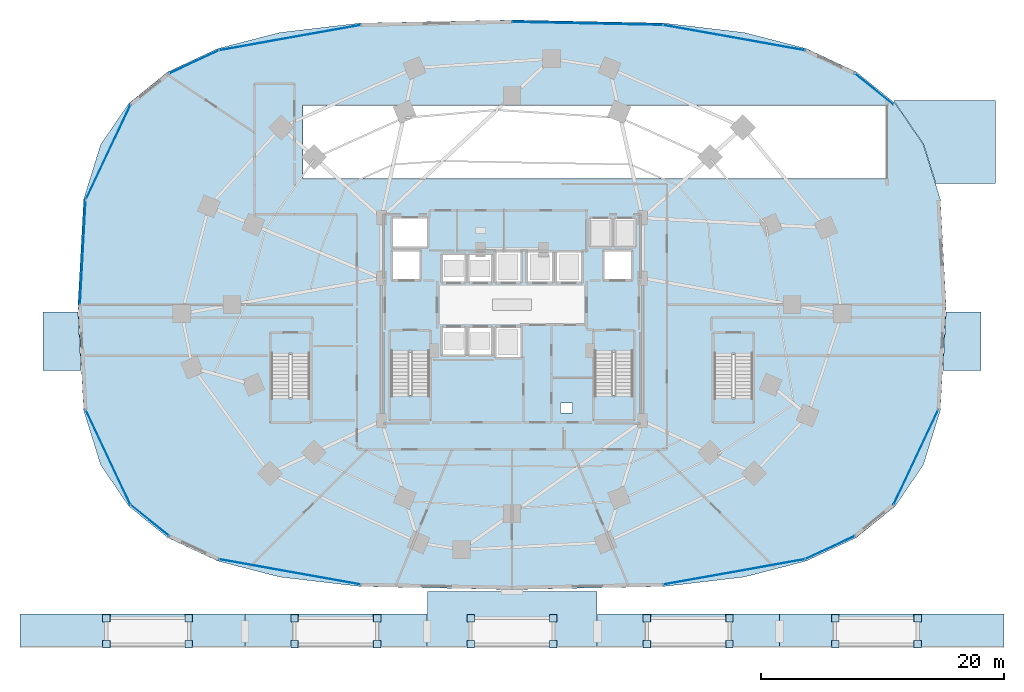
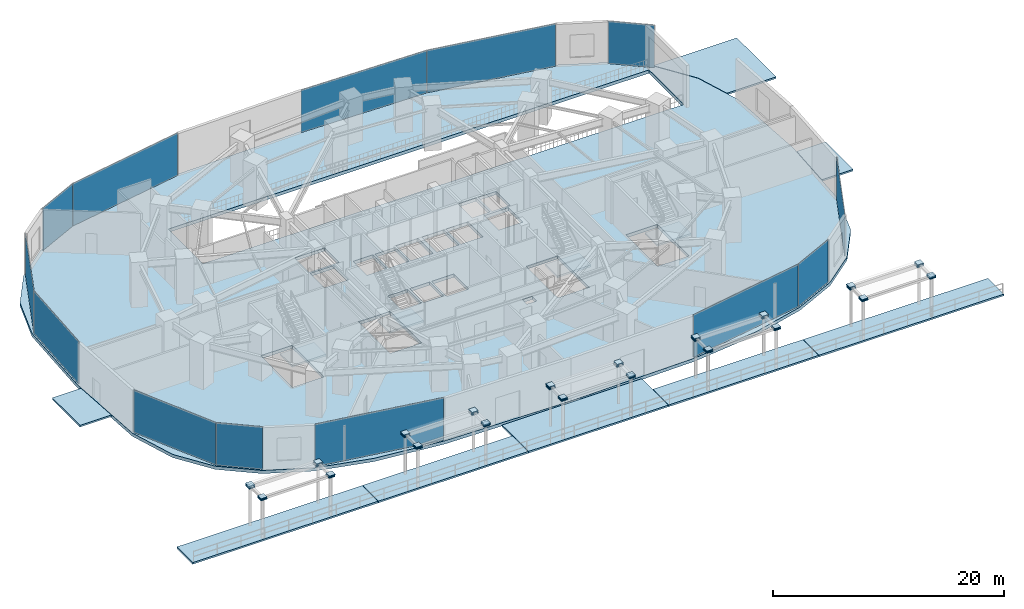
# One storey, part 25 of 36: 73 plates, 13 slabs, 12 elements without a shape of their own.
"""IFC4 building model written with IfcOpenShell, lengths in metres."""

from ifc_helpers import new_model, si_unit, direction, frame, origin, origin_2d, place, context, subcontext, project, spatial, polyline, rectangle, outline, extrude, material, layer, layer_set, type_object, element, aggregate, save


model = new_model("IFC4")

# Units and contexts
model_context = context("Model", 3, precision=1e-05, world=origin(), true_north=direction((0.0, 1.0)))
body_context = subcontext(model_context, "Body", "Model", "MODEL_VIEW")
ifc_project = project(units=[si_unit("LENGTHUNIT", "METRE"), si_unit("AREAUNIT", "SQUARE_METRE"), si_unit("VOLUMEUNIT", "CUBIC_METRE"), si_unit("PLANEANGLEUNIT", "RADIAN"), si_unit("MASSUNIT", "GRAM", prefix="KILO")], contexts=[model_context])

# Site, building, storey
site_placement = place(None, origin())
site = spatial("IfcSite", under=ifc_project, at=site_placement, CompositionType="ELEMENT")
building_placement = place(site_placement, origin())
building = spatial("IfcBuilding", under=site, at=building_placement, Name="Vorneva Point Tower", CompositionType="ELEMENT")
storey_placement = place(building_placement, origin())
storey = spatial("IfcBuildingStorey", under=building, at=storey_placement, Name="L00", CompositionType="ELEMENT", Elevation=0.0)

# Curtain wall, plate
ifc_material_1 = material(Name="Pale anodised aluminium", Category="aluminium")
curtain_wall_type = type_object("IfcCurtainWallType", Name="CW-POD-SYS", PredefinedType="NOTDEFINED", material=ifc_material_1)
curtain_wall_1_placement = place(storey_placement, origin())
curtain_wall_1 = element("IfcCurtainWall", 1, at=curtain_wall_1_placement, inside=storey, type_object=curtain_wall_type, Name="L00 Unitised Curtain Wall CW-L00-R01", PredefinedType="NOTDEFINED")
ifc_material_2 = material(Name="Double low-e laminated glass IGU", Category="glass")
ifc_layer_1 = layer(ifc_material_2, 0.035888671875)
ifc_layer_set_1 = layer_set([ifc_layer_1], Name="Double low-e laminated glass IGU")
plate_type_1 = type_object("IfcPlateType", Name="CW-PNL-VIS", PredefinedType="CURTAIN_PANEL", material=ifc_layer_set_1)
plate_1_placement = place(storey_placement, frame((67.808837890625, 43.751220703125, -0.02001953125), z_axis=(0.0, 0.0, 1.0), x_axis=(-0.778374651732, 0.627800049014, 0.0)))
plate_1 = element("IfcPlate", 2, at=plate_1_placement, type_object=plate_type_1, Name="CW-L00-R01 Glazed Panel 01", PredefinedType="CURTAIN_PANEL", context=body_context, shape_type="SweptSolid", body=[
    extrude(rectangle(XDim=4.043212890625, YDim=0.035888671875, at=origin_2d()), origin(), (0.0, 0.0, 1.0), 4.52001953125),
])
aggregate(curtain_wall_1, [plate_1])

# Curtain wall, plates
curtain_wall_2_placement = place(storey_placement, origin())
curtain_wall_2 = element("IfcCurtainWall", 3, at=curtain_wall_2_placement, inside=storey, type_object=curtain_wall_type, Name="L00 Unitised Curtain Wall CW-L00-R02", PredefinedType="NOTDEFINED")
plate_2_placement = place(storey_placement, frame((56.285400390625, 47.987548828125, -0.02001953125), z_axis=(0.0, 0.0, 1.0), x_axis=(-0.984411223222, 0.175882186689, 0.0)))
plate_2 = element("IfcPlate", 4, at=plate_2_placement, type_object=plate_type_1, Name="CW-L00-R02 Glazed Panel 01", PredefinedType="CURTAIN_PANEL", context=body_context, shape_type="SweptSolid", body=[
    extrude(rectangle(XDim=11.82080078125, YDim=0.035888671875, at=origin_2d()), origin(), (0.0, 0.0, 1.0), 4.52001953125),
])
plate_3_placement = place(storey_placement, frame((44.22119140625, 49.158447265625, -0.02001953125), z_axis=(0.0, 0.0, 1.0), x_axis=(-0.999791868077, 0.020401483438, 0.0)))
plate_3 = element("IfcPlate", 5, at=plate_3_placement, type_object=plate_type_1, Name="CW-L00-R02 Glazed Panel 02", PredefinedType="CURTAIN_PANEL", context=body_context, shape_type="SweptSolid", body=[
    extrude(rectangle(XDim=12.39501953125, YDim=0.035888671875, at=origin_2d()), origin(), (0.0, 0.0, 1.0), 4.52001953125),
])
aggregate(curtain_wall_2, [plate_2, plate_3])

curtain_wall_3_placement = place(storey_placement, origin())
curtain_wall_3 = element("IfcCurtainWall", 6, at=curtain_wall_3_placement, inside=storey, type_object=curtain_wall_type, Name="L00 Unitised Curtain Wall CW-L00-R03", PredefinedType="NOTDEFINED")
plate_4_placement = place(storey_placement, frame((19.71484375, 47.987548828125, -0.02001953125), z_axis=(0.0, 0.0, 1.0), x_axis=(-0.984411223222, -0.175882186689, 0.0)))
plate_4 = element("IfcPlate", 7, at=plate_4_placement, type_object=plate_type_1, Name="CW-L00-R03 Glazed Panel 01", PredefinedType="CURTAIN_PANEL", context=body_context, shape_type="SweptSolid", body=[
    extrude(rectangle(XDim=11.82080078125, YDim=0.035888671875, at=origin_2d()), origin(), (0.0, 0.0, 1.0), 4.52001953125),
])
plate_5_placement = place(storey_placement, frame((11.827880859375, 45.98974609375, -0.02001953125), z_axis=(0.0, 0.0, 1.0), x_axis=(-0.906174972872, -0.422902965869, 0.0)))
plate_5 = element("IfcPlate", 8, at=plate_5_placement, type_object=plate_type_1, Name="CW-L00-R03 Glazed Panel 02", PredefinedType="CURTAIN_PANEL", context=body_context, shape_type="SweptSolid", body=[
    extrude(rectangle(XDim=4.460693359375, YDim=0.035888671875, at=origin_2d()), origin(), (0.0, 0.0, 1.0), 4.52001953125),
])
aggregate(curtain_wall_3, [plate_4, plate_5])

curtain_wall_4_placement = place(storey_placement, origin())
curtain_wall_4 = element("IfcCurtainWall", 9, at=curtain_wall_4_placement, inside=storey, type_object=curtain_wall_type, Name="L00 Unitised Curtain Wall CW-L00-R04", PredefinedType="NOTDEFINED")
plate_6_placement = place(storey_placement, frame((4.75048828125, 38.548095703125, -0.02001953125), z_axis=(0.0, 0.0, 1.0), x_axis=(-0.426552954116, -0.904462590346, 0.0)))
plate_6 = element("IfcPlate", 10, at=plate_6_placement, type_object=plate_type_1, Name="CW-L00-R04 Glazed Panel 01", PredefinedType="CURTAIN_PANEL", context=body_context, shape_type="SweptSolid", body=[
    extrude(rectangle(XDim=8.61376953125, YDim=0.035888671875, at=origin_2d()), origin(), (0.0, 0.0, 1.0), 4.52001953125),
])
plate_7_placement = place(storey_placement, frame((2.66845703125, 30.315185546875, -0.02001953125), z_axis=(0.0, 0.0, 1.0), x_axis=(-0.054165951542, -0.998531947257, 0.0)))
plate_7 = element("IfcPlate", 11, at=plate_7_placement, type_object=plate_type_1, Name="CW-L00-R04 Glazed Panel 02", PredefinedType="CURTAIN_PANEL", context=body_context, shape_type="SweptSolid", body=[
    extrude(rectangle(XDim=8.593017578125, YDim=0.035888671875, at=origin_2d()), origin(), (0.0, 0.0, 1.0), 4.52001953125),
])
aggregate(curtain_wall_4, [plate_6, plate_7])

curtain_wall_5_placement = place(storey_placement, origin())
curtain_wall_5 = element("IfcCurtainWall", 12, at=curtain_wall_5_placement, inside=storey, type_object=curtain_wall_type, Name="L00 Unitised Curtain Wall CW-L00-R05", PredefinedType="NOTDEFINED")
plate_8_placement = place(storey_placement, frame((4.75048828125, 13.451904296875, -0.02001953125), z_axis=(0.0, 0.0, 1.0), x_axis=(0.426552954116, -0.904462590346, 0.0)))
plate_8 = element("IfcPlate", 13, at=plate_8_placement, type_object=plate_type_1, Name="CW-L00-R05 Glazed Panel 01", PredefinedType="CURTAIN_PANEL", context=body_context, shape_type="SweptSolid", body=[
    extrude(rectangle(XDim=8.61376953125, YDim=0.035888671875, at=origin_2d()), origin(), (0.0, 0.0, 1.0), 4.52001953125),
])
plate_9_placement = place(storey_placement, frame((8.191162109375, 8.248779296875, -0.02001953125), z_axis=(0.0, 0.0, 1.0), x_axis=(0.778374651732, -0.627800049014, 0.0)))
plate_9 = element("IfcPlate", 14, at=plate_9_placement, type_object=plate_type_1, Name="CW-L00-R05 Glazed Panel 02", PredefinedType="CURTAIN_PANEL", context=body_context, shape_type="SweptSolid", body=[
    extrude(rectangle(XDim=4.043212890625, YDim=0.035888671875, at=origin_2d()), origin(), (0.0, 0.0, 1.0), 4.52001953125),
])
aggregate(curtain_wall_5, [plate_8, plate_9])

# Curtain wall, plate
curtain_wall_6_placement = place(storey_placement, origin())
curtain_wall_6 = element("IfcCurtainWall", 15, at=curtain_wall_6_placement, inside=storey, type_object=curtain_wall_type, Name="L00 Unitised Curtain Wall CW-L00-R06", PredefinedType="NOTDEFINED")
plate_10_placement = place(storey_placement, frame((19.71484375, 4.012451171875, -0.02001953125), z_axis=(0.0, 0.0, 1.0), x_axis=(0.984411223222, -0.175882186689, 0.0)))
plate_10 = element("IfcPlate", 16, at=plate_10_placement, type_object=plate_type_1, Name="CW-L00-R06 Glazed Panel 01", PredefinedType="CURTAIN_PANEL", context=body_context, shape_type="SweptSolid", body=[
    extrude(rectangle(XDim=11.82080078125, YDim=0.035888671875, at=origin_2d()), origin(), (0.0, 0.0, 1.0), 4.52001953125),
])
aggregate(curtain_wall_6, [plate_10])

# Curtain wall, plates
curtain_wall_7_placement = place(storey_placement, origin())
curtain_wall_7 = element("IfcCurtainWall", 17, at=curtain_wall_7_placement, inside=storey, type_object=curtain_wall_type, Name="L00 Unitised Curtain Wall CW-L00-R07", PredefinedType="NOTDEFINED")
plate_11_placement = place(storey_placement, frame((56.285400390625, 4.012451171875, -0.02001953125), z_axis=(0.0, 0.0, 1.0), x_axis=(0.984411223222, 0.175882186689, 0.0)))
plate_11 = element("IfcPlate", 18, at=plate_11_placement, type_object=plate_type_1, Name="CW-L00-R07 Glazed Panel 01", PredefinedType="CURTAIN_PANEL", context=body_context, shape_type="SweptSolid", body=[
    extrude(rectangle(XDim=11.82080078125, YDim=0.035888671875, at=origin_2d()), origin(), (0.0, 0.0, 1.0), 4.52001953125),
])
plate_12_placement = place(storey_placement, frame((64.172119140625, 6.01025390625, -0.02001953125), z_axis=(0.0, 0.0, 1.0), x_axis=(0.906174972872, 0.422902965869, 0.0)))
plate_12 = element("IfcPlate", 19, at=plate_12_placement, type_object=plate_type_1, Name="CW-L00-R07 Glazed Panel 02", PredefinedType="CURTAIN_PANEL", context=body_context, shape_type="SweptSolid", body=[
    extrude(rectangle(XDim=4.460693359375, YDim=0.035888671875, at=origin_2d()), origin(), (0.0, 0.0, 1.0), 4.52001953125),
])
aggregate(curtain_wall_7, [plate_11, plate_12])

# Curtain wall, plate
curtain_wall_8_placement = place(storey_placement, origin())
curtain_wall_8 = element("IfcCurtainWall", 20, at=curtain_wall_8_placement, inside=storey, type_object=curtain_wall_type, Name="L00 Unitised Curtain Wall CW-L00-R08", PredefinedType="NOTDEFINED")
plate_13_placement = place(storey_placement, frame((71.24951171875, 13.451904296875, -0.02001953125), z_axis=(0.0, 0.0, 1.0), x_axis=(0.426552954116, 0.904462590346, 0.0)))
plate_13 = element("IfcPlate", 21, at=plate_13_placement, type_object=plate_type_1, Name="CW-L00-R08 Glazed Panel 01", PredefinedType="CURTAIN_PANEL", context=body_context, shape_type="SweptSolid", body=[
    extrude(rectangle(XDim=8.61376953125, YDim=0.035888671875, at=origin_2d()), origin(), (0.0, 0.0, 1.0), 4.52001953125),
])
aggregate(curtain_wall_8, [plate_13])

# Plates
ifc_material_3 = material(Name="Steel S355", Category="steel")
ifc_layer_2 = layer(ifc_material_3, 0.02392578125)
ifc_layer_set_2 = layer_set([ifc_layer_2], Name="Steel S355")
plate_type_2 = type_object("IfcPlateType", Name="PLT-CAP-EXT", PredefinedType="USERDEFINED", material=ifc_layer_set_2)
for number, where, z_axis, x_axis, name in (
    (22, (4.60009765625, -1.949951171875, 4.2919921875), (0.0, 0.0, 1.0), (1.0, 0.0, 0.0), "Waterfront Promenade Canopy CAN-01 Post 1 end closure plate 2"),
    (23, (11.39990234375, -1.949951171875, 4.2919921875), (0.0, 0.0, 1.0), (1.0, 0.0, 0.0), "Waterfront Promenade Canopy CAN-01 Post 2 end closure plate 2"),
    (24, (11.39990234375, 0.199951171875, 4.2919921875), (0.0, 0.0, 1.0), (1.0, 0.0, 0.0), "Waterfront Promenade Canopy CAN-01 Post 3 end closure plate 2"),
    (25, (4.60009765625, 0.199951171875, 4.2919921875), (0.0, 0.0, 1.0), (1.0, 0.0, 0.0), "Waterfront Promenade Canopy CAN-01 Post 4 end closure plate 2"),
    (26, (4.6298828125, -1.949951171875, 4.1318359375), (0.0, 0.0, 1.0), (1.0, 0.0, 0.0), "Waterfront Promenade Canopy CAN-01 Tie 1 end closure plate 1"),
    (27, (11.3701171875, -1.949951171875, 4.1318359375), (0.0, 0.0, 1.0), (1.0, 0.0, 0.0), "Waterfront Promenade Canopy CAN-01 Tie 1 end closure plate 2"),
    (28, (11.3701171875, 0.199951171875, 4.05712890625), (0.0, 0.0, 1.0), (-1.0, 0.0, 0.0), "Waterfront Promenade Canopy CAN-01 Tie 2 end closure plate 1"),
    (29, (4.6298828125, 0.199951171875, 4.05712890625), (0.0, 0.0, 1.0), (-1.0, 0.0, 0.0), "Waterfront Promenade Canopy CAN-01 Tie 2 end closure plate 2"),
    (30, (11.39990234375, -1.919921875, 4.1318359375), (0.0, 0.0, 1.0), (0.0, 1.0, 0.0), "Waterfront Promenade Canopy CAN-01 Tie 3 end closure plate 1"),
    (31, (11.39990234375, 0.169921875, 4.1318359375), (0.0, 0.0, 1.0), (0.0, 1.0, 0.0), "Waterfront Promenade Canopy CAN-01 Tie 3 end closure plate 2"),
    (32, (4.60009765625, 0.169921875, 4.1318359375), (0.0, 0.0, 1.0), (0.0, -1.0, 0.0), "Waterfront Promenade Canopy CAN-01 Tie 4 end closure plate 1"),
    (33, (4.60009765625, -1.919921875, 4.1318359375), (0.0, 0.0, 1.0), (0.0, -1.0, 0.0), "Waterfront Promenade Canopy CAN-01 Tie 4 end closure plate 2"),
    (34, (20.10009765625, -1.949951171875, 4.2919921875), (0.0, 0.0, 1.0), (1.0, 0.0, 0.0), "Waterfront Promenade Canopy CAN-02 Post 1 end closure plate 2"),
    (35, (26.89990234375, -1.949951171875, 4.2919921875), (0.0, 0.0, 1.0), (1.0, 0.0, 0.0), "Waterfront Promenade Canopy CAN-02 Post 2 end closure plate 2"),
    (36, (26.89990234375, 0.199951171875, 4.2919921875), (0.0, 0.0, 1.0), (1.0, 0.0, 0.0), "Waterfront Promenade Canopy CAN-02 Post 3 end closure plate 2"),
    (37, (20.10009765625, 0.199951171875, 4.2919921875), (0.0, 0.0, 1.0), (1.0, 0.0, 0.0), "Waterfront Promenade Canopy CAN-02 Post 4 end closure plate 2"),
    (38, (20.1298828125, -1.949951171875, 4.1318359375), (0.0, 0.0, 1.0), (1.0, 0.0, 0.0), "Waterfront Promenade Canopy CAN-02 Tie 1 end closure plate 1"),
    (39, (26.8701171875, -1.949951171875, 4.1318359375), (0.0, 0.0, 1.0), (1.0, 0.0, 0.0), "Waterfront Promenade Canopy CAN-02 Tie 1 end closure plate 2"),
    (40, (26.8701171875, 0.199951171875, 4.05712890625), (0.0, 0.0, 1.0), (-1.0, 0.0, 0.0), "Waterfront Promenade Canopy CAN-02 Tie 2 end closure plate 1"),
    (41, (20.1298828125, 0.199951171875, 4.05712890625), (0.0, 0.0, 1.0), (-1.0, 0.0, 0.0), "Waterfront Promenade Canopy CAN-02 Tie 2 end closure plate 2"),
    (42, (26.89990234375, -1.919921875, 4.1318359375), (0.0, 0.0, 1.0), (0.0, 1.0, 0.0), "Waterfront Promenade Canopy CAN-02 Tie 3 end closure plate 1"),
    (43, (26.89990234375, 0.169921875, 4.1318359375), (0.0, 0.0, 1.0), (0.0, 1.0, 0.0), "Waterfront Promenade Canopy CAN-02 Tie 3 end closure plate 2"),
    (44, (20.10009765625, 0.169921875, 4.1318359375), (0.0, 0.0, 1.0), (0.0, -1.0, 0.0), "Waterfront Promenade Canopy CAN-02 Tie 4 end closure plate 1"),
    (45, (20.10009765625, -1.919921875, 4.1318359375), (0.0, 0.0, 1.0), (0.0, -1.0, 0.0), "Waterfront Promenade Canopy CAN-02 Tie 4 end closure plate 2"),
    (46, (34.60009765625, -1.949951171875, 4.2919921875), (0.0, 0.0, 1.0), (1.0, 0.0, 0.0), "Waterfront Promenade Canopy CAN-03 Post 1 end closure plate 2"),
    (47, (41.39990234375, -1.949951171875, 4.2919921875), (0.0, 0.0, 1.0), (1.0, 0.0, 0.0), "Waterfront Promenade Canopy CAN-03 Post 2 end closure plate 2"),
    (48, (41.39990234375, 0.199951171875, 4.2919921875), (0.0, 0.0, 1.0), (1.0, 0.0, 0.0), "Waterfront Promenade Canopy CAN-03 Post 3 end closure plate 2"),
    (49, (34.60009765625, 0.199951171875, 4.2919921875), (0.0, 0.0, 1.0), (1.0, 0.0, 0.0), "Waterfront Promenade Canopy CAN-03 Post 4 end closure plate 2"),
    (50, (34.6298828125, -1.949951171875, 4.1318359375), (0.0, 0.0, 1.0), (1.0, 0.0, 0.0), "Waterfront Promenade Canopy CAN-03 Tie 1 end closure plate 1"),
    (51, (41.3701171875, -1.949951171875, 4.1318359375), (0.0, 0.0, 1.0), (1.0, 0.0, 0.0), "Waterfront Promenade Canopy CAN-03 Tie 1 end closure plate 2"),
    (52, (41.3701171875, 0.199951171875, 4.05712890625), (0.0, 0.0, 1.0), (-1.0, 0.0, 0.0), "Waterfront Promenade Canopy CAN-03 Tie 2 end closure plate 1"),
    (53, (34.6298828125, 0.199951171875, 4.05712890625), (0.0, 0.0, 1.0), (-1.0, 0.0, 0.0), "Waterfront Promenade Canopy CAN-03 Tie 2 end closure plate 2"),
    (54, (41.39990234375, -1.919921875, 4.1318359375), (0.0, 0.0, 1.0), (0.0, 1.0, 0.0), "Waterfront Promenade Canopy CAN-03 Tie 3 end closure plate 1"),
    (55, (41.39990234375, 0.169921875, 4.1318359375), (0.0, 0.0, 1.0), (0.0, 1.0, 0.0), "Waterfront Promenade Canopy CAN-03 Tie 3 end closure plate 2"),
    (56, (34.60009765625, 0.169921875, 4.1318359375), (0.0, 0.0, 1.0), (0.0, -1.0, 0.0), "Waterfront Promenade Canopy CAN-03 Tie 4 end closure plate 1"),
    (57, (34.60009765625, -1.919921875, 4.1318359375), (0.0, 0.0, 1.0), (0.0, -1.0, 0.0), "Waterfront Promenade Canopy CAN-03 Tie 4 end closure plate 2"),
    (58, (49.10009765625, -1.949951171875, 4.2919921875), (0.0, 0.0, 1.0), (1.0, 0.0, 0.0), "Waterfront Promenade Canopy CAN-04 Post 1 end closure plate 2"),
    (59, (55.89990234375, -1.949951171875, 4.2919921875), (0.0, 0.0, 1.0), (1.0, 0.0, 0.0), "Waterfront Promenade Canopy CAN-04 Post 2 end closure plate 2"),
    (60, (55.89990234375, 0.199951171875, 4.2919921875), (0.0, 0.0, 1.0), (1.0, 0.0, 0.0), "Waterfront Promenade Canopy CAN-04 Post 3 end closure plate 2"),
    (61, (49.10009765625, 0.199951171875, 4.2919921875), (0.0, 0.0, 1.0), (1.0, 0.0, 0.0), "Waterfront Promenade Canopy CAN-04 Post 4 end closure plate 2"),
    (62, (49.1298828125, -1.949951171875, 4.1318359375), (0.0, 0.0, 1.0), (1.0, 0.0, 0.0), "Waterfront Promenade Canopy CAN-04 Tie 1 end closure plate 1"),
    (63, (55.8701171875, -1.949951171875, 4.1318359375), (0.0, 0.0, 1.0), (1.0, 0.0, 0.0), "Waterfront Promenade Canopy CAN-04 Tie 1 end closure plate 2"),
    (64, (55.8701171875, 0.199951171875, 4.05712890625), (0.0, 0.0, 1.0), (-1.0, 0.0, 0.0), "Waterfront Promenade Canopy CAN-04 Tie 2 end closure plate 1"),
    (65, (49.1298828125, 0.199951171875, 4.05712890625), (0.0, 0.0, 1.0), (-1.0, 0.0, 0.0), "Waterfront Promenade Canopy CAN-04 Tie 2 end closure plate 2"),
    (66, (55.89990234375, -1.919921875, 4.1318359375), (0.0, 0.0, 1.0), (0.0, 1.0, 0.0), "Waterfront Promenade Canopy CAN-04 Tie 3 end closure plate 1"),
    (67, (55.89990234375, 0.169921875, 4.1318359375), (0.0, 0.0, 1.0), (0.0, 1.0, 0.0), "Waterfront Promenade Canopy CAN-04 Tie 3 end closure plate 2"),
    (68, (49.10009765625, 0.169921875, 4.1318359375), (0.0, 0.0, 1.0), (0.0, -1.0, 0.0), "Waterfront Promenade Canopy CAN-04 Tie 4 end closure plate 1"),
    (69, (49.10009765625, -1.919921875, 4.1318359375), (0.0, 0.0, 1.0), (0.0, -1.0, 0.0), "Waterfront Promenade Canopy CAN-04 Tie 4 end closure plate 2"),
    (70, (64.60009765625, -1.949951171875, 4.2919921875), (0.0, 0.0, 1.0), (1.0, 0.0, 0.0), "Waterfront Promenade Canopy CAN-05 Post 1 end closure plate 2"),
    (71, (71.39990234375, -1.949951171875, 4.2919921875), (0.0, 0.0, 1.0), (1.0, 0.0, 0.0), "Waterfront Promenade Canopy CAN-05 Post 2 end closure plate 2"),
    (72, (71.39990234375, 0.199951171875, 4.2919921875), (0.0, 0.0, 1.0), (1.0, 0.0, 0.0), "Waterfront Promenade Canopy CAN-05 Post 3 end closure plate 2"),
    (73, (64.60009765625, 0.199951171875, 4.2919921875), (0.0, 0.0, 1.0), (1.0, 0.0, 0.0), "Waterfront Promenade Canopy CAN-05 Post 4 end closure plate 2"),
    (74, (64.6298828125, -1.949951171875, 4.1318359375), (0.0, 0.0, 1.0), (1.0, 0.0, 0.0), "Waterfront Promenade Canopy CAN-05 Tie 1 end closure plate 1"),
    (75, (71.3701171875, -1.949951171875, 4.1318359375), (0.0, 0.0, 1.0), (1.0, 0.0, 0.0), "Waterfront Promenade Canopy CAN-05 Tie 1 end closure plate 2"),
    (76, (71.3701171875, 0.199951171875, 4.05712890625), (0.0, 0.0, 1.0), (-1.0, 0.0, 0.0), "Waterfront Promenade Canopy CAN-05 Tie 2 end closure plate 1"),
    (77, (64.6298828125, 0.199951171875, 4.05712890625), (0.0, 0.0, 1.0), (-1.0, 0.0, 0.0), "Waterfront Promenade Canopy CAN-05 Tie 2 end closure plate 2"),
    (78, (71.39990234375, -1.919921875, 4.1318359375), (0.0, 0.0, 1.0), (0.0, 1.0, 0.0), "Waterfront Promenade Canopy CAN-05 Tie 3 end closure plate 1"),
    (79, (71.39990234375, 0.169921875, 4.1318359375), (0.0, 0.0, 1.0), (0.0, 1.0, 0.0), "Waterfront Promenade Canopy CAN-05 Tie 3 end closure plate 2"),
    (80, (64.60009765625, 0.169921875, 4.1318359375), (0.0, 0.0, 1.0), (0.0, -1.0, 0.0), "Waterfront Promenade Canopy CAN-05 Tie 4 end closure plate 1"),
    (81, (64.60009765625, -1.919921875, 4.1318359375), (0.0, 0.0, 1.0), (0.0, -1.0, 0.0), "Waterfront Promenade Canopy CAN-05 Tie 4 end closure plate 2"),
):
    element("IfcPlate", number, at=place(storey_placement, frame(where, z_axis=z_axis, x_axis=x_axis)), inside=storey, type_object=plate_type_2, Name=name, ObjectType="BASE PLATE", PredefinedType="USERDEFINED", context=body_context, shape_type="SweptSolid", body=[
        extrude(rectangle(XDim=0.60009765625, YDim=0.60009765625, at=origin_2d()), origin(), (0.0, 0.0, 1.0), 0.095947265625),
    ])

# Stair, slab
ifc_material_4 = material(Name="Concrete B50 (C40/50)", Category="concrete")
stair_type = type_object("IfcStairType", Name="ST-DOG-1500", PredefinedType="HALF_TURN_STAIR", material=ifc_material_4)
stair_1_placement = place(storey_placement, origin())
stair_1 = element("IfcStair", 82, at=stair_1_placement, inside=storey, type_object=stair_type, Name="L00 ST1", PredefinedType="HALF_TURN_STAIR")
ifc_layer_3 = layer(ifc_material_4, 0.199951171875)
ifc_layer_set_3 = layer_set([ifc_layer_3], Name="Concrete B50 (C40/50)")
slab_type_1 = type_object("IfcSlabType", Name="SLB-LND-200", PredefinedType="LANDING", material=ifc_layer_set_3)
slab_1_placement = place(storey_placement, frame((0.0, 0.0, 2.199951171875)))
slab_1 = element("IfcSlab", 83, at=slab_1_placement, type_object=slab_type_1, Name="ST1 landing 1", PredefinedType="LANDING", context=body_context, shape_type="SweptSolid", body=[
    extrude(outline(polyline([(27.929931640625, 16.47998046875), (31.320068359375, 16.47998046875), (31.320068359375, 18.570068359375), (27.929931640625, 18.570068359375), (27.929931640625, 16.47998046875)])), origin(), (0.0, 0.0, 1.0), 0.199951171875),
])
aggregate(stair_1, [slab_1])

stair_2_placement = place(storey_placement, origin())
stair_2 = element("IfcStair", 84, at=stair_2_placement, inside=storey, type_object=stair_type, Name="L00 ST2", PredefinedType="HALF_TURN_STAIR")
slab_2_placement = place(storey_placement, frame((0.0, 0.0, 2.199951171875)))
slab_2 = element("IfcSlab", 85, at=slab_2_placement, type_object=slab_type_1, Name="ST2 landing 1", PredefinedType="LANDING", context=body_context, shape_type="SweptSolid", body=[
    extrude(outline(polyline([(44.679931640625, 16.47998046875), (48.070068359375, 16.47998046875), (48.070068359375, 18.570068359375), (44.679931640625, 18.570068359375), (44.679931640625, 16.47998046875)])), origin(), (0.0, 0.0, 1.0), 0.199951171875),
])
aggregate(stair_2, [slab_2])

stair_3_placement = place(storey_placement, origin())
stair_3 = element("IfcStair", 86, at=stair_3_placement, inside=storey, type_object=stair_type, Name="L00 ST3", PredefinedType="HALF_TURN_STAIR")
slab_3_placement = place(storey_placement, frame((0.0, 0.0, 2.199951171875)))
slab_3 = element("IfcSlab", 87, at=slab_3_placement, type_object=slab_type_1, Name="ST3 landing 1", PredefinedType="LANDING", context=body_context, shape_type="SweptSolid", body=[
    extrude(outline(polyline([(18.080078125, 16.280029296875), (21.469970703125, 16.280029296875), (21.469970703125, 18.3701171875), (18.080078125, 18.3701171875), (18.080078125, 16.280029296875)])), origin(), (0.0, 0.0, 1.0), 0.199951171875),
])
aggregate(stair_3, [slab_3])

stair_4_placement = place(storey_placement, origin())
stair_4 = element("IfcStair", 88, at=stair_4_placement, inside=storey, type_object=stair_type, Name="L00 ST4", PredefinedType="HALF_TURN_STAIR")
slab_4_placement = place(storey_placement, frame((0.0, 0.0, 2.199951171875)))
slab_4 = element("IfcSlab", 89, at=slab_4_placement, type_object=slab_type_1, Name="ST4 landing 1", PredefinedType="LANDING", context=body_context, shape_type="SweptSolid", body=[
    extrude(outline(polyline([(54.530029296875, 16.280029296875), (57.919921875, 16.280029296875), (57.919921875, 18.3701171875), (54.530029296875, 18.3701171875), (54.530029296875, 16.280029296875)])), origin(), (0.0, 0.0, 1.0), 0.199951171875),
])
aggregate(stair_4, [slab_4])

# Slabs
ifc_material_5 = material(Name="Granite quay paving", Category="masonry")
ifc_layer_4 = layer(ifc_material_5, 0.179931640625)
ifc_layer_set_4 = layer_set([ifc_layer_4], Name="Granite quay paving")
slab_type_2 = type_object("IfcSlabType", Name="SLB-PAV-180", PredefinedType="USERDEFINED", material=ifc_layer_set_4)
slab_5_placement = place(storey_placement, frame((0.0, 0.0, -0.179931640625)))
element("IfcSlab", 90, at=slab_5_placement, inside=storey, type_object=slab_type_2, Name="Level 00 Waterfront Granite Paving QUAY-1", ObjectType="PAVING", PredefinedType="USERDEFINED", context=body_context, shape_type="SweptSolid", body=[
    extrude(outline(polyline([(16.0, -2.199951171875), (16.0, 0.550048828125), (-2.5, 0.550048828125), (-2.5, -2.199951171875), (16.0, -2.199951171875)])), origin(), (0.0, 0.0, 1.0), 0.179931640625),
])
slab_6_placement = place(storey_placement, frame((0.0, 0.0, -0.179931640625)))
element("IfcSlab", 91, at=slab_6_placement, inside=storey, type_object=slab_type_2, Name="Level 00 Waterfront Granite Paving QUAY-2", ObjectType="PAVING", PredefinedType="USERDEFINED", context=body_context, shape_type="SweptSolid", body=[
    extrude(outline(polyline([(31.0, -2.199951171875), (31.0, 0.550048828125), (16.030029296875, 0.550048828125), (16.030029296875, -2.199951171875), (31.0, -2.199951171875)])), origin(), (0.0, 0.0, 1.0), 0.179931640625),
])
slab_7_placement = place(storey_placement, frame((0.0, 0.0, -0.179931640625)))
element("IfcSlab", 92, at=slab_7_placement, inside=storey, type_object=slab_type_2, Name="Level 00 Waterfront Granite Paving QUAY-3", ObjectType="PAVING", PredefinedType="USERDEFINED", context=body_context, shape_type="SweptSolid", body=[
    extrude(outline(polyline([(45.0, -2.199951171875), (45.0, 2.39990234375), (31.030029296875, 2.39990234375), (31.030029296875, -2.199951171875), (45.0, -2.199951171875)])), origin(), (0.0, 0.0, 1.0), 0.179931640625),
])
slab_8_placement = place(storey_placement, frame((0.0, 0.0, -0.179931640625)))
element("IfcSlab", 93, at=slab_8_placement, inside=storey, type_object=slab_type_2, Name="Level 00 Waterfront Granite Paving QUAY-4", ObjectType="PAVING", PredefinedType="USERDEFINED", context=body_context, shape_type="SweptSolid", body=[
    extrude(outline(polyline([(60.0, -2.199951171875), (60.0, 0.550048828125), (45.030029296875, 0.550048828125), (45.030029296875, -2.199951171875), (60.0, -2.199951171875)])), origin(), (0.0, 0.0, 1.0), 0.179931640625),
])
slab_9_placement = place(storey_placement, frame((0.0, 0.0, -0.179931640625)))
element("IfcSlab", 94, at=slab_9_placement, inside=storey, type_object=slab_type_2, Name="Level 00 Waterfront Granite Paving QUAY-5", ObjectType="PAVING", PredefinedType="USERDEFINED", context=body_context, shape_type="SweptSolid", body=[
    extrude(outline(polyline([(78.5, -2.199951171875), (78.5, 0.550048828125), (60.030029296875, 0.550048828125), (60.030029296875, -2.199951171875), (78.5, -2.199951171875)])), origin(), (0.0, 0.0, 1.0), 0.179931640625),
])
slab_10_placement = place(storey_placement, frame((0.0, 0.0, -0.179931640625)))
element("IfcSlab", 95, at=slab_10_placement, inside=storey, type_object=slab_type_2, Name="Level 00 Waterfront Granite Paving DRIVE-APRON", ObjectType="PAVING", PredefinedType="USERDEFINED", context=body_context, shape_type="SweptSolid", body=[
    extrude(outline(polyline([(69.449951171875, 42.693115234375), (69.56396484375, 42.60107421875), (69.566162109375, 42.59912109375), (69.568115234375, 42.596923828125), (69.56982421875, 42.594482421875), (71.880615234375, 39.212646484375), (71.882080078125, 39.210205078125), (71.883544921875, 39.20751953125), (71.884521484375, 39.20458984375), (72.881103515625, 36.0), (77.800048828125, 36.0), (77.800048828125, 42.800048828125), (69.449951171875, 42.800048828125), (69.449951171875, 42.693115234375)])), origin(), (0.0, 0.0, 1.0), 0.179931640625),
])
slab_11_placement = place(storey_placement, frame((0.0, 0.0, -0.179931640625)))
element("IfcSlab", 96, at=slab_11_placement, inside=storey, type_object=slab_type_2, Name="Level 00 Waterfront Granite Paving EXIT-W", ObjectType="PAVING", PredefinedType="USERDEFINED", context=body_context, shape_type="SweptSolid", body=[
    extrude(outline(polyline([(2.5341796875, 20.60009765625), (2.2744140625, 25.39990234375), (-0.60009765625, 25.39990234375), (-0.60009765625, 20.60009765625), (2.5341796875, 20.60009765625)])), origin(), (0.0, 0.0, 1.0), 0.179931640625),
])
slab_12_placement = place(storey_placement, frame((0.0, 0.0, -0.179931640625)))
element("IfcSlab", 97, at=slab_12_placement, inside=storey, type_object=slab_type_2, Name="Level 00 Waterfront Granite Paving EXIT-E", ObjectType="PAVING", PredefinedType="USERDEFINED", context=body_context, shape_type="SweptSolid", body=[
    extrude(outline(polyline([(73.7255859375, 25.39990234375), (73.4658203125, 20.60009765625), (76.60009765625, 20.60009765625), (76.60009765625, 25.39990234375), (73.7255859375, 25.39990234375)])), origin(), (0.0, 0.0, 1.0), 0.179931640625),
])
ifc_layer_5 = layer(ifc_material_4, 0.340087890625)
ifc_layer_set_5 = layer_set([ifc_layer_5], Name="Concrete B50 (C40/50)")
slab_type_3 = type_object("IfcSlabType", Name="SLB-POD-340", PredefinedType="FLOOR", material=ifc_layer_set_5)
slab_13_placement = place(storey_placement, frame((0.0, 0.0, -0.340087890625)))
element("IfcSlab", 98, at=slab_13_placement, inside=storey, type_object=slab_type_3, Name="L00 Structural Floor Plate", PredefinedType="FLOOR", context=body_context, shape_type="SweptSolid", body=[
    extrude(outline(polyline([(73.72802734375, 26.0), (73.2578125, 34.688720703125), (71.85595703125, 39.19580078125), (69.545166015625, 42.57763671875), (66.344482421875, 45.164794921875), (62.23828125, 47.085205078125), (57.106689453125, 48.41064453125), (50.4990234375, 49.187255859375), (38.0, 49.443115234375), (25.5009765625, 49.187255859375), (18.893310546875, 48.41064453125), (13.76171875, 47.085205078125), (9.655517578125, 45.164794921875), (6.454833984375, 42.57763671875), (4.14404296875, 39.19580078125), (2.7421875, 34.688720703125), (2.27197265625, 26.0), (2.7421875, 17.311279296875), (4.14404296875, 12.80419921875), (6.454833984375, 9.42236328125), (9.655517578125, 6.835205078125), (13.76171875, 4.914794921875), (18.893310546875, 3.58935546875), (25.5009765625, 2.812744140625), (38.0, 2.556884765625), (50.4990234375, 2.812744140625), (57.106689453125, 3.58935546875), (62.23828125, 4.914794921875), (66.344482421875, 6.835205078125), (69.545166015625, 9.42236328125), (71.85595703125, 12.80419921875), (73.2578125, 17.311279296875), (73.72802734375, 26.0)]), holes=[polyline([(32.199951171875, 27.800048828125), (34.199951171875, 27.800048828125), (34.199951171875, 30.199951171875), (32.199951171875, 30.199951171875), (32.199951171875, 27.800048828125)]), polyline([(34.39990234375, 27.800048828125), (36.39990234375, 27.800048828125), (36.39990234375, 30.199951171875), (34.39990234375, 30.199951171875), (34.39990234375, 27.800048828125)]), polyline([(36.60009765625, 27.800048828125), (38.800048828125, 27.800048828125), (38.800048828125, 30.39990234375), (36.60009765625, 30.39990234375), (36.60009765625, 27.800048828125)]), polyline([(32.199951171875, 21.800048828125), (34.199951171875, 21.800048828125), (34.199951171875, 24.199951171875), (32.199951171875, 24.199951171875), (32.199951171875, 21.800048828125)]), polyline([(34.39990234375, 21.800048828125), (36.39990234375, 21.800048828125), (36.39990234375, 24.199951171875), (34.39990234375, 24.199951171875), (34.39990234375, 21.800048828125)]), polyline([(36.60009765625, 21.60009765625), (38.800048828125, 21.60009765625), (38.800048828125, 24.199951171875), (36.60009765625, 24.199951171875), (36.60009765625, 21.60009765625)]), polyline([(39.199951171875, 27.800048828125), (41.39990234375, 27.800048828125), (41.39990234375, 30.39990234375), (39.199951171875, 30.39990234375), (39.199951171875, 27.800048828125)]), polyline([(41.60009765625, 27.800048828125), (43.800048828125, 27.800048828125), (43.800048828125, 30.39990234375), (41.60009765625, 30.39990234375), (41.60009765625, 27.800048828125)]), polyline([(44.39990234375, 30.739990234375), (46.199951171875, 30.739990234375), (46.199951171875, 33.159912109375), (44.39990234375, 33.159912109375), (44.39990234375, 30.739990234375)]), polyline([(46.39990234375, 30.739990234375), (48.199951171875, 30.739990234375), (48.199951171875, 33.159912109375), (46.39990234375, 33.159912109375), (46.39990234375, 30.739990234375)]), polyline([(28.10009765625, 28.0), (30.5, 28.0), (30.5, 30.5), (28.10009765625, 30.5), (28.10009765625, 28.0)]), polyline([(45.5, 28.0), (47.89990234375, 28.0), (47.89990234375, 30.5), (45.5, 30.5), (45.5, 28.0)]), polyline([(28.10009765625, 30.699951171875), (31.10009765625, 30.699951171875), (31.10009765625, 33.199951171875), (28.10009765625, 33.199951171875), (28.10009765625, 30.699951171875)]), polyline([(28.050048828125, 16.60009765625), (31.199951171875, 16.60009765625), (31.199951171875, 22.080078125), (28.050048828125, 22.080078125), (28.050048828125, 16.60009765625)]), polyline([(44.800048828125, 16.60009765625), (47.949951171875, 16.60009765625), (47.949951171875, 22.080078125), (44.800048828125, 22.080078125), (44.800048828125, 16.60009765625)]), polyline([(18.199951171875, 16.39990234375), (21.35009765625, 16.39990234375), (21.35009765625, 21.8798828125), (18.199951171875, 21.8798828125), (18.199951171875, 16.39990234375)]), polyline([(54.64990234375, 16.39990234375), (57.800048828125, 16.39990234375), (57.800048828125, 21.8798828125), (54.64990234375, 21.8798828125), (54.64990234375, 16.39990234375)]), polyline([(42.0, 17.10009765625), (43.0, 17.10009765625), (43.0, 17.89990234375), (42.0, 17.89990234375), (42.0, 17.10009765625)]), polyline([(20.800048828125, 36.39990234375), (68.800048828125, 36.39990234375), (68.800048828125, 42.39990234375), (20.800048828125, 42.39990234375), (20.800048828125, 36.39990234375)])]), origin(), (0.0, 0.0, 1.0), 0.340087890625),
])

save(model, "model.ifc")
